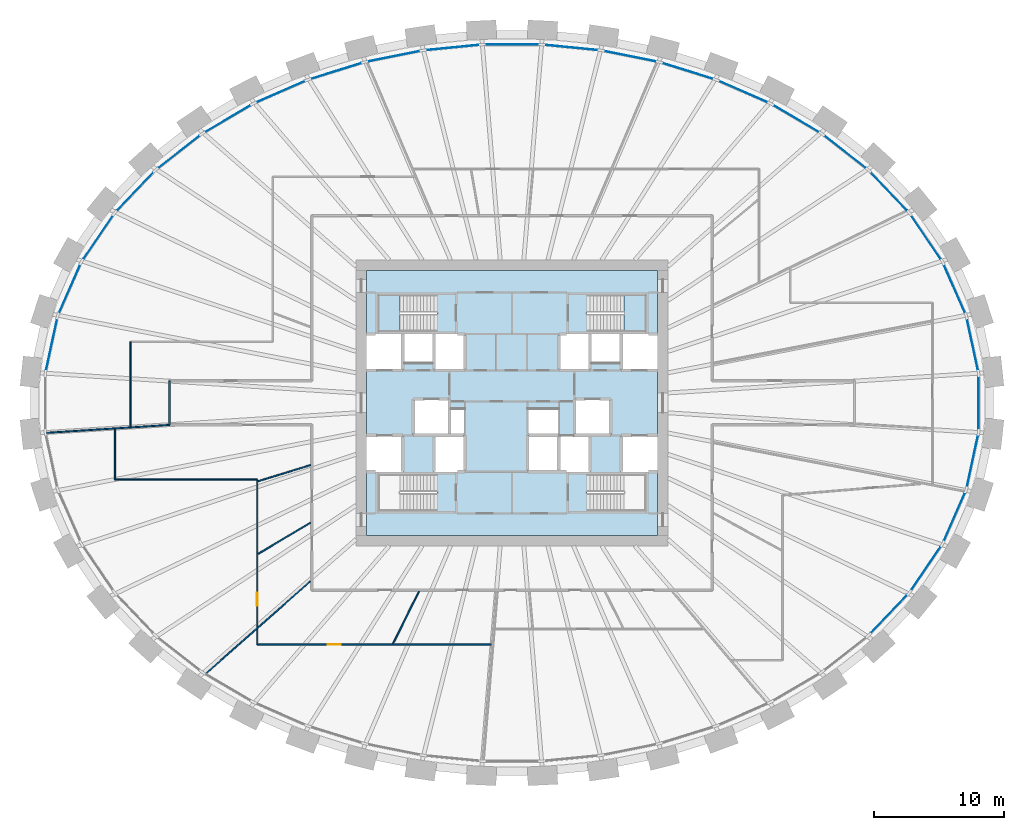
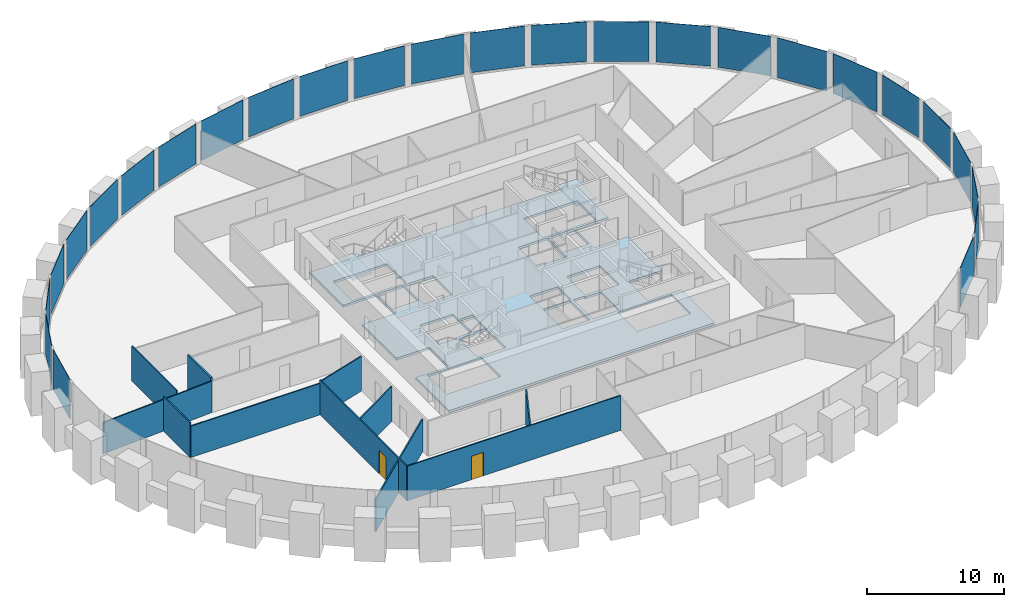
# One storey, part 5 of 10: 26 plates, 11 walls, 3 slabs, 2 doors, 2 openings, 3 elements without a shape of their own.
"""IFC4 building model written with IfcOpenShell, lengths in metres."""

from ifc_helpers import new_model, si_unit, direction, frame, frame_2d, origin, origin_2d, place, context, subcontext, project, spatial, polyline, rectangle, outline, extrude, source, transform, mapped, material, layer, layer_set, type_object, element, fill, aggregate, save


model = new_model("IFC4")

# Units and contexts
model_context = context("Model", 3, precision=1e-05, world=origin(), true_north=direction((0.0, 1.0)))
body_context = subcontext(model_context, "Body", "Model", "MODEL_VIEW")
ifc_project = project(units=[si_unit("LENGTHUNIT", "METRE"), si_unit("AREAUNIT", "SQUARE_METRE"), si_unit("VOLUMEUNIT", "CUBIC_METRE"), si_unit("PLANEANGLEUNIT", "RADIAN"), si_unit("MASSUNIT", "GRAM", prefix="KILO")], contexts=[model_context])

# Site, building, storey
site_placement = place(None, origin())
site = spatial("IfcSite", under=ifc_project, at=site_placement, CompositionType="ELEMENT")
building_placement = place(site_placement, origin())
building = spatial("IfcBuilding", under=site, at=building_placement, Name="Embergate Tower", CompositionType="ELEMENT")
storey_placement = place(building_placement, frame((0.0, 0.0, 175.5)))
storey = spatial("IfcBuildingStorey", under=building, at=storey_placement, Name="L39", CompositionType="ELEMENT", Elevation=175.5)

# Curtain wall, plates
ifc_material_1 = material(Name="Aluminium and glass", Category="aluminium")
curtain_wall_type = type_object("IfcCurtainWallType", Name="Recessed office glazing", PredefinedType="NOTDEFINED", material=ifc_material_1)
curtain_wall_placement = place(storey_placement, origin())
curtain_wall = element("IfcCurtainWall", 1, at=curtain_wall_placement, inside=storey, type_object=curtain_wall_type, Name="Recessed office glazing ring", ObjectType="RECESSED OFFICE GLAZING", PredefinedType="USERDEFINED")
ifc_material_2 = material(Name="Triple glazing, low-emissivity coating", Category="glass")
ifc_layer_1 = layer(ifc_material_2, 0.035888671875)
ifc_layer_set_1 = layer_set([ifc_layer_1], Name="Triple glazing, low-emissivity coating")
plate_type = type_object("IfcPlateType", Name="Office glazing unit", PredefinedType="CURTAIN_PANEL", material=ifc_layer_set_1)
shared_shape_1 = source(origin(), body_context, "Body", "SweptSolid", [
    extrude(rectangle(XDim=4.055419921875, YDim=0.035888671875, at=origin_2d()), origin(), (0.0, 0.0, 1.0), 3.550048828125),
])
plate_1_placement = place(storey_placement, frame((13.518798828125, 25.533935546875, 0.14990234375), z_axis=(0.0, 0.0, 1.0), x_axis=(-0.954773255075, 0.29733488089, 0.0)))
plate_1 = element("IfcPlate", 2, at=plate_1_placement, type_object=plate_type, Name="CW panel 8.1", PredefinedType="CURTAIN_PANEL", context=body_context, shape_type="MappedRepresentation", body=[
    mapped(shared_shape_1, transform((0.0, 0.0, 0.0))),
])
plate_2_placement = place(storey_placement, frame((-13.518798828125, 25.533935546875, 0.14990234375), z_axis=(0.0, 0.0, 1.0), x_axis=(-0.954773255075, -0.29733488089, 0.0)))
plate_2 = element("IfcPlate", 3, at=plate_2_placement, type_object=plate_type, Name="CW panel 14.1", PredefinedType="CURTAIN_PANEL", context=body_context, shape_type="MappedRepresentation", body=[
    mapped(shared_shape_1, transform((0.0, 0.0, 0.0))),
])
shared_shape_2 = source(origin(), body_context, "Body", "SweptSolid", [
    extrude(rectangle(XDim=4.009765625, YDim=0.035888671875, at=origin_2d()), origin(), (0.0, 0.0, 1.0), 3.550048828125),
])
plate_3_placement = place(storey_placement, frame((35.423095703125, 4.4775390625, 0.14990234375), z_axis=(0.0, 0.0, 1.0), x_axis=(-0.210401803698, 0.977614996305, 0.0)))
plate_3 = element("IfcPlate", 4, at=plate_3_placement, type_object=plate_type, Name="CW panel 1.1", PredefinedType="CURTAIN_PANEL", context=body_context, shape_type="MappedRepresentation", body=[
    mapped(shared_shape_2, transform((0.0, 0.0, 0.0))),
])
plate_4_placement = place(storey_placement, frame((-35.423095703125, 4.4775390625, 0.14990234375), z_axis=(0.0, 0.0, 1.0), x_axis=(-0.210401803698, -0.977614996305, 0.0)))
plate_4 = element("IfcPlate", 5, at=plate_4_placement, type_object=plate_type, Name="CW panel 21.1", PredefinedType="CURTAIN_PANEL", context=body_context, shape_type="MappedRepresentation", body=[
    mapped(shared_shape_2, transform((0.0, 0.0, 0.0))),
])
plate_5_placement = place(storey_placement, frame((35.423095703125, -4.4775390625, 0.14990234375), z_axis=(0.0, 0.0, 1.0), x_axis=(0.210401803698, 0.977614996305, 0.0)))
plate_5 = element("IfcPlate", 6, at=plate_5_placement, type_object=plate_type, Name="CW panel 43.1", PredefinedType="CURTAIN_PANEL", context=body_context, shape_type="MappedRepresentation", body=[
    mapped(shared_shape_2, transform((0.0, 0.0, 0.0))),
])
shared_shape_3 = source(origin(), body_context, "Body", "SweptSolid", [
    extrude(rectangle(XDim=4.0166015625, YDim=0.035888671875, at=origin_2d()), origin(), (0.0, 0.0, 1.0), 3.550048828125),
])
plate_6_placement = place(storey_placement, frame((34.03564453125, 8.76904296875, 0.14990234375), z_axis=(0.0, 0.0, 1.0), x_axis=(-0.401658494584, 0.915789524797, 0.0)))
plate_6 = element("IfcPlate", 7, at=plate_6_placement, type_object=plate_type, Name="CW panel 2.1", PredefinedType="CURTAIN_PANEL", context=body_context, shape_type="MappedRepresentation", body=[
    mapped(shared_shape_3, transform((0.0, 0.0, 0.0))),
])
plate_7_placement = place(storey_placement, frame((-34.03564453125, 8.76904296875, 0.14990234375), z_axis=(0.0, 0.0, 1.0), x_axis=(-0.401658494584, -0.915789524797, 0.0)))
plate_7 = element("IfcPlate", 8, at=plate_7_placement, type_object=plate_type, Name="CW panel 20.1", PredefinedType="CURTAIN_PANEL", context=body_context, shape_type="MappedRepresentation", body=[
    mapped(shared_shape_3, transform((0.0, 0.0, 0.0))),
])
plate_8_placement = place(storey_placement, frame((34.03564453125, -8.76904296875, 0.14990234375), z_axis=(0.0, 0.0, 1.0), x_axis=(0.401658494584, 0.915789524797, 0.0)))
plate_8 = element("IfcPlate", 9, at=plate_8_placement, type_object=plate_type, Name="CW panel 42.1", PredefinedType="CURTAIN_PANEL", context=body_context, shape_type="MappedRepresentation", body=[
    mapped(shared_shape_3, transform((0.0, 0.0, 0.0))),
])
shared_shape_4 = source(origin(), body_context, "Body", "SweptSolid", [
    extrude(rectangle(XDim=4.025390625, YDim=0.035888671875, at=origin_2d()), origin(), (0.0, 0.0, 1.0), 3.550048828125),
])
plate_9_placement = place(storey_placement, frame((31.846435546875, 12.7255859375, 0.14990234375), z_axis=(0.0, 0.0, 1.0), x_axis=(-0.562347514787, 0.826901005328, 0.0)))
plate_9 = element("IfcPlate", 10, at=plate_9_placement, type_object=plate_type, Name="CW panel 3.1", PredefinedType="CURTAIN_PANEL", context=body_context, shape_type="MappedRepresentation", body=[
    mapped(shared_shape_4, transform((0.0, 0.0, 0.0))),
])
plate_10_placement = place(storey_placement, frame((-31.846435546875, 12.7255859375, 0.14990234375), z_axis=(0.0, 0.0, 1.0), x_axis=(-0.562347514787, -0.826901005328, 0.0)))
plate_10 = element("IfcPlate", 11, at=plate_10_placement, type_object=plate_type, Name="CW panel 19.1", PredefinedType="CURTAIN_PANEL", context=body_context, shape_type="MappedRepresentation", body=[
    mapped(shared_shape_4, transform((0.0, 0.0, 0.0))),
])
plate_11_placement = place(storey_placement, frame((31.846435546875, -12.7255859375, 0.14990234375), z_axis=(0.0, 0.0, 1.0), x_axis=(0.562347514787, 0.826901005328, 0.0)))
plate_11 = element("IfcPlate", 12, at=plate_11_placement, type_object=plate_type, Name="CW panel 41.1", PredefinedType="CURTAIN_PANEL", context=body_context, shape_type="MappedRepresentation", body=[
    mapped(shared_shape_4, transform((0.0, 0.0, 0.0))),
])
shared_shape_5 = source(origin(), body_context, "Body", "SweptSolid", [
    extrude(rectangle(XDim=4.0341796875, YDim=0.035888671875, at=origin_2d()), origin(), (0.0, 0.0, 1.0), 3.550048828125),
])
plate_12_placement = place(storey_placement, frame((28.996826171875, 16.252685546875, 0.14990234375), z_axis=(0.0, 0.0, 1.0), x_axis=(-0.690140099753, 0.723675785634, 0.0)))
plate_12 = element("IfcPlate", 13, at=plate_12_placement, type_object=plate_type, Name="CW panel 4.1", PredefinedType="CURTAIN_PANEL", context=body_context, shape_type="MappedRepresentation", body=[
    mapped(shared_shape_5, transform((0.0, 0.0, 0.0))),
])
plate_13_placement = place(storey_placement, frame((-28.996826171875, 16.252685546875, 0.14990234375), z_axis=(0.0, 0.0, 1.0), x_axis=(-0.690140099753, -0.723675785634, 0.0)))
plate_13 = element("IfcPlate", 14, at=plate_13_placement, type_object=plate_type, Name="CW panel 18.1", PredefinedType="CURTAIN_PANEL", context=body_context, shape_type="MappedRepresentation", body=[
    mapped(shared_shape_5, transform((0.0, 0.0, 0.0))),
])
plate_14_placement = place(storey_placement, frame((28.996826171875, -16.252685546875, 0.14990234375), z_axis=(0.0, 0.0, 1.0), x_axis=(0.690140099753, 0.723675785634, 0.0)))
plate_14 = element("IfcPlate", 15, at=plate_14_placement, type_object=plate_type, Name="CW panel 40.1", PredefinedType="CURTAIN_PANEL", context=body_context, shape_type="MappedRepresentation", body=[
    mapped(shared_shape_5, transform((0.0, 0.0, 0.0))),
])
shared_shape_6 = source(origin(), body_context, "Body", "SweptSolid", [
    extrude(rectangle(XDim=4.04150390625, YDim=0.035888671875, at=origin_2d()), origin(), (0.0, 0.0, 1.0), 3.550048828125),
])
plate_15_placement = place(storey_placement, frame((25.62744140625, 19.3037109375, 0.14990234375), z_axis=(0.0, 0.0, 1.0), x_axis=(-0.788324414597, 0.61525979663, 0.0)))
plate_15 = element("IfcPlate", 16, at=plate_15_placement, type_object=plate_type, Name="CW panel 5.1", PredefinedType="CURTAIN_PANEL", context=body_context, shape_type="MappedRepresentation", body=[
    mapped(shared_shape_6, transform((0.0, 0.0, 0.0))),
])
plate_16_placement = place(storey_placement, frame((-25.62744140625, 19.3037109375, 0.14990234375), z_axis=(0.0, 0.0, 1.0), x_axis=(-0.788324414597, -0.61525979663, 0.0)))
plate_16 = element("IfcPlate", 17, at=plate_16_placement, type_object=plate_type, Name="CW panel 17.1", PredefinedType="CURTAIN_PANEL", context=body_context, shape_type="MappedRepresentation", body=[
    mapped(shared_shape_6, transform((0.0, 0.0, 0.0))),
])
shared_shape_7 = source(origin(), body_context, "Body", "SweptSolid", [
    extrude(rectangle(XDim=4.047607421875, YDim=0.035888671875, at=origin_2d()), origin(), (0.0, 0.0, 1.0), 3.550048828125),
])
plate_17_placement = place(storey_placement, frame((21.86083984375, 21.864501953125, 0.14990234375), z_axis=(0.0, 0.0, 1.0), x_axis=(-0.862055821492, 0.506813339043, 0.0)))
plate_17 = element("IfcPlate", 18, at=plate_17_placement, type_object=plate_type, Name="CW panel 6.1", PredefinedType="CURTAIN_PANEL", context=body_context, shape_type="MappedRepresentation", body=[
    mapped(shared_shape_7, transform((0.0, 0.0, 0.0))),
])
plate_18_placement = place(storey_placement, frame((-21.86083984375, 21.864501953125, 0.14990234375), z_axis=(0.0, 0.0, 1.0), x_axis=(-0.862055821492, -0.506813339043, 0.0)))
plate_18 = element("IfcPlate", 19, at=plate_18_placement, type_object=plate_type, Name="CW panel 16.1", PredefinedType="CURTAIN_PANEL", context=body_context, shape_type="MappedRepresentation", body=[
    mapped(shared_shape_7, transform((0.0, 0.0, 0.0))),
])
shared_shape_8 = source(origin(), body_context, "Body", "SweptSolid", [
    extrude(rectangle(XDim=4.052001953125, YDim=0.035888671875, at=origin_2d()), origin(), (0.0, 0.0, 1.0), 3.550048828125),
])
plate_19_placement = place(storey_placement, frame((17.797607421875, 23.937744140625, 0.14990234375), z_axis=(0.0, 0.0, 1.0), x_axis=(-0.916238309467, 0.400633698365, 0.0)))
plate_19 = element("IfcPlate", 20, at=plate_19_placement, type_object=plate_type, Name="CW panel 7.1", PredefinedType="CURTAIN_PANEL", context=body_context, shape_type="MappedRepresentation", body=[
    mapped(shared_shape_8, transform((0.0, 0.0, 0.0))),
])
plate_20_placement = place(storey_placement, frame((-17.797607421875, 23.937744140625, 0.14990234375), z_axis=(0.0, 0.0, 1.0), x_axis=(-0.916238309467, -0.400633698365, 0.0)))
plate_20 = element("IfcPlate", 21, at=plate_20_placement, type_object=plate_type, Name="CW panel 15.1", PredefinedType="CURTAIN_PANEL", context=body_context, shape_type="MappedRepresentation", body=[
    mapped(shared_shape_8, transform((0.0, 0.0, 0.0))),
])
shared_shape_9 = source(origin(), body_context, "Body", "SweptSolid", [
    extrude(rectangle(XDim=4.0576171875, YDim=0.035888671875, at=origin_2d()), origin(), (0.0, 0.0, 1.0), 3.550048828125),
])
plate_21_placement = place(storey_placement, frame((9.090576171875, 26.6640625, 0.14990234375), z_axis=(0.0, 0.0, 1.0), x_axis=(-0.980476250608, 0.196637539636, 0.0)))
plate_21 = element("IfcPlate", 22, at=plate_21_placement, type_object=plate_type, Name="CW panel 9.1", PredefinedType="CURTAIN_PANEL", context=body_context, shape_type="MappedRepresentation", body=[
    mapped(shared_shape_9, transform((0.0, 0.0, 0.0))),
])
plate_22_placement = place(storey_placement, frame((-9.090576171875, 26.6640625, 0.14990234375), z_axis=(0.0, 0.0, 1.0), x_axis=(-0.980476250608, -0.196637539636, 0.0)))
plate_22 = element("IfcPlate", 23, at=plate_22_placement, type_object=plate_type, Name="CW panel 13.1", PredefinedType="CURTAIN_PANEL", context=body_context, shape_type="MappedRepresentation", body=[
    mapped(shared_shape_9, transform((0.0, 0.0, 0.0))),
])
shared_shape_10 = source(origin(), body_context, "Body", "SweptSolid", [
    extrude(rectangle(XDim=4.058837890625, YDim=0.035888671875, at=origin_2d()), origin(), (0.0, 0.0, 1.0), 3.550048828125),
])
plate_23_placement = place(storey_placement, frame((4.568115234375, 27.338134765625, 0.14990234375), z_axis=(0.0, 0.0, 1.0), x_axis=(-0.995203355531, 0.09782781373, 0.0)))
plate_23 = element("IfcPlate", 24, at=plate_23_placement, type_object=plate_type, Name="CW panel 10.1", PredefinedType="CURTAIN_PANEL", context=body_context, shape_type="MappedRepresentation", body=[
    mapped(shared_shape_10, transform((0.0, 0.0, 0.0))),
])
plate_24_placement = place(storey_placement, frame((-4.568115234375, 27.338134765625, 0.14990234375), z_axis=(0.0, 0.0, 1.0), x_axis=(-0.995203355531, -0.09782781373, 0.0)))
plate_24 = element("IfcPlate", 25, at=plate_24_placement, type_object=plate_type, Name="CW panel 12.1", PredefinedType="CURTAIN_PANEL", context=body_context, shape_type="MappedRepresentation", body=[
    mapped(shared_shape_10, transform((0.0, 0.0, 0.0))),
])
shared_shape_11 = source(origin(), body_context, "Body", "SweptSolid", [
    extrude(rectangle(XDim=4.05908203125, YDim=0.035888671875, at=origin_2d()), origin(), (0.0, 0.0, 1.0), 3.550048828125),
])
plate_25_placement = place(storey_placement, frame((0.0, 27.56201171875, 0.14990234375), z_axis=(0.0, 0.0, 1.0), x_axis=(-1.0, 0.0, 0.0)))
plate_25 = element("IfcPlate", 26, at=plate_25_placement, type_object=plate_type, Name="CW panel 11.1", PredefinedType="CURTAIN_PANEL", context=body_context, shape_type="MappedRepresentation", body=[
    mapped(shared_shape_11, transform((0.0, 0.0, 0.0))),
])
shared_shape_12 = source(origin(), body_context, "Body", "SweptSolid", [
    extrude(rectangle(XDim=4.007080078125, YDim=0.035888671875, at=origin_2d()), origin(), (0.0, 0.0, 1.0), 3.550048828125),
])
plate_26_placement = place(storey_placement, frame((35.899658203125, 0.0, 0.14990234375), z_axis=(0.0, 0.0, 1.0), x_axis=(0.0, 1.0, 0.0)))
plate_26 = element("IfcPlate", 27, at=plate_26_placement, type_object=plate_type, Name="CW panel 44.1", PredefinedType="CURTAIN_PANEL", context=body_context, shape_type="MappedRepresentation", body=[
    mapped(shared_shape_12, transform((0.0, 0.0, 0.0))),
])
aggregate(curtain_wall, [plate_3, plate_6, plate_9, plate_12, plate_15, plate_17, plate_19, plate_1, plate_21, plate_23, plate_25, plate_24, plate_22, plate_2, plate_20, plate_18, plate_16, plate_13, plate_10, plate_7, plate_4, plate_14, plate_11, plate_8, plate_5, plate_26])

# Stair, slab
ifc_material_3 = material(Name="Exit stair")
stair_type = type_object("IfcStairType", Name="Exit stair", PredefinedType="HALF_TURN_STAIR", material=ifc_material_3)
stair_1_placement = place(storey_placement, origin())
stair_1 = element("IfcStair", 28, at=stair_1_placement, inside=storey, type_object=stair_type, Name="L39 Exit stair 1", PredefinedType="HALF_TURN_STAIR")
ifc_material_4 = material(Name="Concrete C40", Category="concrete")
ifc_layer_2 = layer(ifc_material_4, 0.199951171875)
ifc_layer_set_2 = layer_set([ifc_layer_2], Name="Concrete C40")
slab_type_1 = type_object("IfcSlabType", Name="Stair landing reinforced concrete", PredefinedType="LANDING", material=ifc_layer_set_2)
shared_shape_13 = source(origin(), body_context, "Body", "SweptSolid", [
    extrude(outline(polyline([(0.0, 0.0), (1.68994140625, 0.0), (1.68994140625, 2.800048828125), (0.0, 2.800048828125), (0.0, 0.0)])), origin(), (0.0, 0.0, 1.0), 0.199951171875),
])
slab_1_placement = place(storey_placement, frame((-10.300048828125, 5.5, 1.75)))
slab_1 = element("IfcSlab", 29, at=slab_1_placement, type_object=slab_type_1, Name="ST1 landing 1", PredefinedType="LANDING", context=body_context, shape_type="MappedRepresentation", body=[
    mapped(shared_shape_13, transform((0.0, 0.0, 0.0))),
])
aggregate(stair_1, [slab_1])

stair_2_placement = place(storey_placement, origin())
stair_2 = element("IfcStair", 30, at=stair_2_placement, inside=storey, type_object=stair_type, Name="L39 Exit stair 2", PredefinedType="HALF_TURN_STAIR")
slab_2_placement = place(storey_placement, frame((8.610107421875, 5.5, 1.75)))
slab_2 = element("IfcSlab", 31, at=slab_2_placement, type_object=slab_type_1, Name="ST2 landing 1", PredefinedType="LANDING", context=body_context, shape_type="MappedRepresentation", body=[
    mapped(shared_shape_13, transform((0.0, 0.0, 0.0))),
])
aggregate(stair_2, [slab_2])

# Slab
ifc_layer_3 = layer(ifc_material_4, 0.199951171875)
ifc_layer_set_3 = layer_set([ifc_layer_3], Name="Concrete C40")
slab_type_2 = type_object("IfcSlabType", Name="Core floor slab 200 reinforced concrete", PredefinedType="FLOOR", material=ifc_layer_set_3)
shared_shape_14 = source(origin(), body_context, "Body", "SweptSolid", [
    extrude(outline(polyline([(0.0, 0.0), (22.39990234375, 0.0), (22.39990234375, 4.89990234375), (19.599853515625, 4.89990234375), (19.599853515625, 7.699951171875), (22.39990234375, 7.699951171875), (22.39990234375, 12.699951171875), (19.599853515625, 12.699951171875), (19.599853515625, 15.5), (22.39990234375, 15.5), (22.39990234375, 20.39990234375), (0.0, 20.39990234375), (0.0, 15.5), (2.800048828125, 15.5), (2.800048828125, 12.699951171875), (0.0, 12.699951171875), (0.0, 7.699951171875), (2.800048828125, 7.699951171875), (2.800048828125, 4.89990234375), (0.0, 4.89990234375), (0.0, 0.0)]), holes=[polyline([(0.89990234375, 1.89990234375), (0.89990234375, 4.699951171875), (5.43994140625, 4.699951171875), (5.43994140625, 1.89990234375), (0.89990234375, 1.89990234375)]), polyline([(16.9599609375, 1.89990234375), (16.9599609375, 4.699951171875), (21.5, 4.699951171875), (21.5, 1.89990234375), (16.9599609375, 1.89990234375)]), polyline([(5.199951171875, 4.89990234375), (5.199951171875, 7.574951171875), (6.52490234375, 7.574951171875), (6.52490234375, 7.699951171875), (7.599853515625, 7.699951171875), (7.599853515625, 4.89990234375), (5.199951171875, 4.89990234375)]), polyline([(12.39990234375, 4.89990234375), (12.39990234375, 7.699951171875), (14.675048828125, 7.699951171875), (14.675048828125, 4.89990234375), (12.39990234375, 4.89990234375)]), polyline([(14.925048828125, 4.89990234375), (14.925048828125, 7.699951171875), (15.875, 7.699951171875), (15.875, 7.574951171875), (17.199951171875, 7.574951171875), (17.199951171875, 4.89990234375), (14.925048828125, 4.89990234375)]), polyline([(3.599853515625, 7.699951171875), (3.599853515625, 10.5), (6.39990234375, 10.5), (6.39990234375, 7.824951171875), (5.074951171875, 7.824951171875), (5.074951171875, 7.699951171875), (3.599853515625, 7.699951171875)]), polyline([(17.324951171875, 7.699951171875), (17.324951171875, 7.824951171875), (16.0, 7.824951171875), (16.0, 10.5), (18.800048828125, 10.5), (18.800048828125, 7.699951171875), (17.324951171875, 7.699951171875)]), polyline([(6.52490234375, 7.824951171875), (6.52490234375, 9.699951171875), (7.599853515625, 9.699951171875), (7.599853515625, 7.824951171875), (6.52490234375, 7.824951171875)]), polyline([(12.39990234375, 7.824951171875), (12.39990234375, 9.699951171875), (14.800048828125, 9.699951171875), (14.800048828125, 7.824951171875), (14.675048828125, 7.824951171875), (12.39990234375, 7.824951171875)]), polyline([(5.199951171875, 12.699951171875), (5.199951171875, 15.5), (7.599853515625, 15.5), (7.599853515625, 12.699951171875), (5.199951171875, 12.699951171875)]), polyline([(14.800048828125, 12.699951171875), (14.800048828125, 15.5), (17.199951171875, 15.5), (17.199951171875, 12.699951171875), (14.800048828125, 12.699951171875)]), polyline([(2.925048828125, 13.300048828125), (2.925048828125, 15.5), (5.074951171875, 15.5), (5.074951171875, 13.300048828125), (2.925048828125, 13.300048828125)]), polyline([(17.324951171875, 13.300048828125), (17.324951171875, 15.5), (19.474853515625, 15.5), (19.474853515625, 13.300048828125), (17.324951171875, 13.300048828125)]), polyline([(0.89990234375, 15.699951171875), (0.89990234375, 18.5), (5.43994140625, 18.5), (5.43994140625, 15.699951171875), (0.89990234375, 15.699951171875)]), polyline([(16.9599609375, 15.699951171875), (16.9599609375, 18.5), (21.5, 18.5), (21.5, 15.699951171875), (16.9599609375, 15.699951171875)])]), origin(), (0.0, 0.0, 1.0), 0.199951171875),
])
slab_3_placement = place(storey_placement, frame((-11.199951171875, -10.199951171875, -0.199951171875)))
element("IfcSlab", 32, at=slab_3_placement, inside=storey, type_object=slab_type_2, Name="Core floor slab", PredefinedType="FLOOR", context=body_context, shape_type="MappedRepresentation", body=[
    mapped(shared_shape_14, transform((0.0, 0.0, 0.0))),
])

# Walls
ifc_material_5 = material(Name="Partition dry-lined 100")
ifc_layer_4 = layer(ifc_material_5, 0.10009765625)
ifc_layer_set_4 = layer_set([ifc_layer_4], Name="Partition dry-lined 100")
wall_type_1 = type_object("IfcWallType", Name="Partition dry-lined 100", PredefinedType="PARTITIONING", material=ifc_layer_set_4)
shared_shape_15 = source(origin(), body_context, "Body", "SweptSolid", [
    extrude(rectangle(XDim=10.949951171875, YDim=0.10009765625, at=frame_2d((5.47509765625, 0.0))), origin(), (0.0, 0.0, 1.0), 2.800048828125),
])
wall_1_placement = place(storey_placement, frame((-19.60009765625, -5.89990234375, 0.0), z_axis=(0.0, 0.0, 1.0), x_axis=(-1.0, 0.0, 0.0)))
element("IfcWall", 33, at=wall_1_placement, inside=storey, type_object=wall_type_1, Name="IP-1 wall", PredefinedType="PARTITIONING", context=body_context, shape_type="MappedRepresentation", body=[
    mapped(shared_shape_15, transform((0.0, 0.0, 0.0))),
])
ifc_material_6 = material(Name="Corridor wall dry-lined 150")
ifc_layer_5 = layer(ifc_material_6, 0.14990234375)
ifc_layer_set_5 = layer_set([ifc_layer_5], Name="Corridor wall dry-lined 150")
wall_type_2 = type_object("IfcWallType", Name="Corridor wall dry-lined 150", PredefinedType="PARTITIONING", material=ifc_layer_set_5)
shared_shape_16 = source(origin(), body_context, "Body", "SweptSolid", [
    extrude(rectangle(XDim=3.39697265625, YDim=0.14990234375, at=frame_2d((1.698486328125, 0.0))), origin(), (0.0, 0.0, 1.0), 3.10009765625),
])
wall_2_placement = place(storey_placement, frame((-26.35009765625, -1.697021484375, 0.0), z_axis=(0.0, 0.0, 1.0), x_axis=(0.0, 1.0, 0.0)))
element("IfcWall", 34, at=wall_2_placement, inside=storey, type_object=wall_type_2, Name="IP-2 wall", PredefinedType="PARTITIONING", context=body_context, shape_type="MappedRepresentation", body=[
    mapped(shared_shape_16, transform((0.0, 0.0, 0.0))),
])
shared_shape_17 = source(origin(), body_context, "Body", "SweptSolid", [
    extrude(rectangle(XDim=4.233154296875, YDim=0.10009765625, at=frame_2d((2.11669921875, 0.0))), origin(), (0.0, 0.0, 1.0), 3.10009765625),
])
wall_3_placement = place(storey_placement, frame((-15.489990234375, -4.781005859375, 0.0), z_axis=(0.0, 0.0, 1.0), x_axis=(-0.955549267273, -0.294831473582, 0.0)))
element("IfcWall", 35, at=wall_3_placement, inside=storey, type_object=wall_type_1, Name="IP-1 wall", PredefinedType="PARTITIONING", context=body_context, shape_type="MappedRepresentation", body=[
    mapped(shared_shape_17, transform((0.0, 0.0, 0.0))),
])

# Wall, opening, door
shared_shape_18 = source(origin(), body_context, "Body", "SweptSolid", [
    extrude(rectangle(XDim=12.7001953125, YDim=0.10009765625, at=frame_2d((6.35009765625, 0.0))), origin(), (0.0, 0.0, 1.0), 3.10009765625),
])
wall_4_placement = place(storey_placement, frame((-19.60009765625, -18.60009765625, 0.0), z_axis=(0.0, 0.0, 1.0), x_axis=(0.0, 1.0, 0.0)))
wall_4 = element("IfcWall", 36, at=wall_4_placement, inside=storey, type_object=wall_type_1, Name="IP-1 wall", PredefinedType="PARTITIONING", context=body_context, shape_type="MappedRepresentation", body=[
    mapped(shared_shape_18, transform((0.0, 0.0, 0.0))),
])
shared_shape_19 = source(origin(), body_context, "Body", "SweptSolid", [
    extrude(rectangle(XDim=1.0, YDim=2.10009765625, at=frame_2d((0.5, 1.050048828125))), frame((0.0, 0.06005859375, 0.0), z_axis=(0.0, -1.0, 0.0), x_axis=(1.0, 0.0, 0.0)), (0.0, 0.0, 1.0), 0.1201171875),
])
opening_1_placement = place(wall_4_placement, frame((2.989990234375, 0.0, 0.0)))
opening_1 = element("IfcOpeningElement", 37, at=opening_1_placement, cuts=wall_4, Name="Opening ID-2", PredefinedType="OPENING", context=body_context, shape_type="MappedRepresentation", body=[
    mapped(shared_shape_19, transform((0.0, 0.0, 0.0))),
])
ifc_material_7 = material(Name="Interior door 1000")
door_type = type_object("IfcDoorType", Name="Interior door 1000", OperationType="SINGLE_SWING_LEFT", PredefinedType="DOOR", material=ifc_material_7)
shared_shape_20 = source(origin(), body_context, "Body", "SweptSolid", [
    extrude(rectangle(XDim=1.0, YDim=2.10009765625, at=frame_2d((0.5, 1.050048828125))), frame((0.0, 0.02490234375, 0.0), z_axis=(0.0, -1.0, 0.0), x_axis=(1.0, 0.0, 0.0)), (0.0, 0.0, 1.0), 0.050048828125),
])
door_1_placement = place(opening_1_placement, origin())
door_1 = element("IfcDoor", 38, at=door_1_placement, inside=storey, type_object=door_type, Name="ID-2 door", OperationType="SINGLE_SWING_LEFT", OverallHeight=2.10009765625, OverallWidth=1.0, PredefinedType="DOOR", context=body_context, shape_type="MappedRepresentation", body=[
    mapped(shared_shape_20, transform((0.0, 0.0, 0.0))),
])
fill(opening_1, door_1)

# Walls
shared_shape_21 = source(origin(), body_context, "Body", "SweptSolid", [
    extrude(rectangle(XDim=3.8828125, YDim=0.10009765625, at=frame_2d((1.94140625, 0.0))), origin(), (0.0, 0.0, 1.0), 3.10009765625),
])
wall_5_placement = place(storey_placement, frame((-30.550048828125, -5.89990234375, 0.0), z_axis=(0.0, 0.0, 1.0), x_axis=(0.0, 1.0, 0.0)))
element("IfcWall", 39, at=wall_5_placement, inside=storey, type_object=wall_type_1, Name="IP-1 wall", PredefinedType="PARTITIONING", context=body_context, shape_type="MappedRepresentation", body=[
    mapped(shared_shape_21, transform((0.0, 0.0, 0.0))),
])
shared_shape_22 = source(origin(), body_context, "Body", "SweptSolid", [
    extrude(rectangle(XDim=9.552734375, YDim=0.10009765625, at=frame_2d((4.7763671875, 0.0))), origin(), (0.0, 0.0, 1.0), 2.800048828125),
])
wall_6_placement = place(storey_placement, frame((-26.35009765625, -1.697021484375, 0.0), z_axis=(0.0, 0.0, 1.0), x_axis=(-0.997932136259, -0.064276367524, 0.0)))
element("IfcWall", 40, at=wall_6_placement, inside=storey, type_object=wall_type_1, Name="IP-1 wall", PredefinedType="PARTITIONING", context=body_context, shape_type="MappedRepresentation", body=[
    mapped(shared_shape_22, transform((0.0, 0.0, 0.0))),
])
shared_shape_23 = source(origin(), body_context, "Body", "SweptSolid", [
    extrude(rectangle(XDim=4.680908203125, YDim=0.10009765625, at=frame_2d((2.34033203125, 0.0))), origin(), (0.0, 0.0, 1.0), 3.10009765625),
])
wall_7_placement = place(storey_placement, frame((-15.5009765625, -9.219970703125, 0.0), z_axis=(0.0, 0.0, 1.0), x_axis=(-0.859438032727, -0.511239931835, 0.0)))
element("IfcWall", 41, at=wall_7_placement, inside=storey, type_object=wall_type_1, Name="IP-1 wall", PredefinedType="PARTITIONING", context=body_context, shape_type="MappedRepresentation", body=[
    mapped(shared_shape_23, transform((0.0, 0.0, 0.0))),
])
shared_shape_24 = source(origin(), body_context, "Body", "SweptSolid", [
    extrude(rectangle(XDim=10.775146484375, YDim=0.10009765625, at=frame_2d((5.3876953125, 0.0))), origin(), (0.0, 0.0, 1.0), 2.89990234375),
])
wall_8_placement = place(storey_placement, frame((-23.5791015625, -20.85693359375, 0.0), z_axis=(0.0, 0.0, 1.0), x_axis=(0.749035915734, 0.662529393266, 0.0)))
element("IfcWall", 42, at=wall_8_placement, inside=storey, type_object=wall_type_1, Name="IP-1 wall", PredefinedType="PARTITIONING", context=body_context, shape_type="MappedRepresentation", body=[
    mapped(shared_shape_24, transform((0.0, 0.0, 0.0))),
])
shared_shape_25 = source(origin(), body_context, "Body", "SweptSolid", [
    extrude(rectangle(XDim=4.495849609375, YDim=0.10009765625, at=frame_2d((2.248046875, 0.0))), origin(), (0.0, 0.0, 1.0), 3.10009765625),
])
wall_9_placement = place(storey_placement, frame((-7.159912109375, -14.4970703125, 0.0), z_axis=(0.0, 0.0, 1.0), x_axis=(-0.442842293257, -0.896599522252, 0.0)))
element("IfcWall", 43, at=wall_9_placement, inside=storey, type_object=wall_type_1, Name="IP-1 wall", PredefinedType="PARTITIONING", context=body_context, shape_type="MappedRepresentation", body=[
    mapped(shared_shape_25, transform((0.0, 0.0, 0.0))),
])

# Wall, opening, door
shared_shape_26 = source(origin(), body_context, "Body", "SweptSolid", [
    extrude(rectangle(XDim=18.030029296875, YDim=0.10009765625, at=frame_2d((9.01513671875, 0.0))), origin(), (0.0, 0.0, 1.0), 3.10009765625),
])
wall_10_placement = place(storey_placement, frame((-1.570068359375, -18.60009765625, 0.0), z_axis=(0.0, 0.0, 1.0), x_axis=(-1.0, 0.0, 0.0)))
wall_10 = element("IfcWall", 44, at=wall_10_placement, inside=storey, type_object=wall_type_1, Name="IP-1 wall", PredefinedType="PARTITIONING", context=body_context, shape_type="MappedRepresentation", body=[
    mapped(shared_shape_26, transform((0.0, 0.0, 0.0))),
])
opening_2_placement = place(wall_10_placement, frame((11.61767578125, 0.0, 0.0)))
opening_2 = element("IfcOpeningElement", 45, at=opening_2_placement, cuts=wall_10, Name="Opening ID-2", PredefinedType="OPENING", context=body_context, shape_type="MappedRepresentation", body=[
    mapped(shared_shape_19, transform((0.0, 0.0, 0.0))),
])
door_2_placement = place(opening_2_placement, origin())
door_2 = element("IfcDoor", 46, at=door_2_placement, inside=storey, type_object=door_type, Name="ID-2 door", OperationType="SINGLE_SWING_RIGHT", OverallHeight=2.10009765625, OverallWidth=1.0, PredefinedType="DOOR", context=body_context, shape_type="MappedRepresentation", body=[
    mapped(shared_shape_20, transform((0.0, 0.0, 0.0))),
])
fill(opening_2, door_2)

# Wall
shared_shape_27 = source(origin(), body_context, "Body", "SweptSolid", [
    extrude(rectangle(XDim=6.5400390625, YDim=0.10009765625, at=frame_2d((3.27001953125, 0.0))), origin(), (0.0, 0.0, 1.0), 3.10009765625),
])
wall_11_placement = place(storey_placement, frame((-29.35009765625, 4.699951171875, 0.0), z_axis=(0.0, 0.0, 1.0), x_axis=(0.0, -1.0, 0.0)))
element("IfcWall", 47, at=wall_11_placement, inside=storey, type_object=wall_type_1, Name="IP-1 wall", PredefinedType="PARTITIONING", context=body_context, shape_type="MappedRepresentation", body=[
    mapped(shared_shape_27, transform((0.0, 0.0, 0.0))),
])

save(model, "model.ifc")
